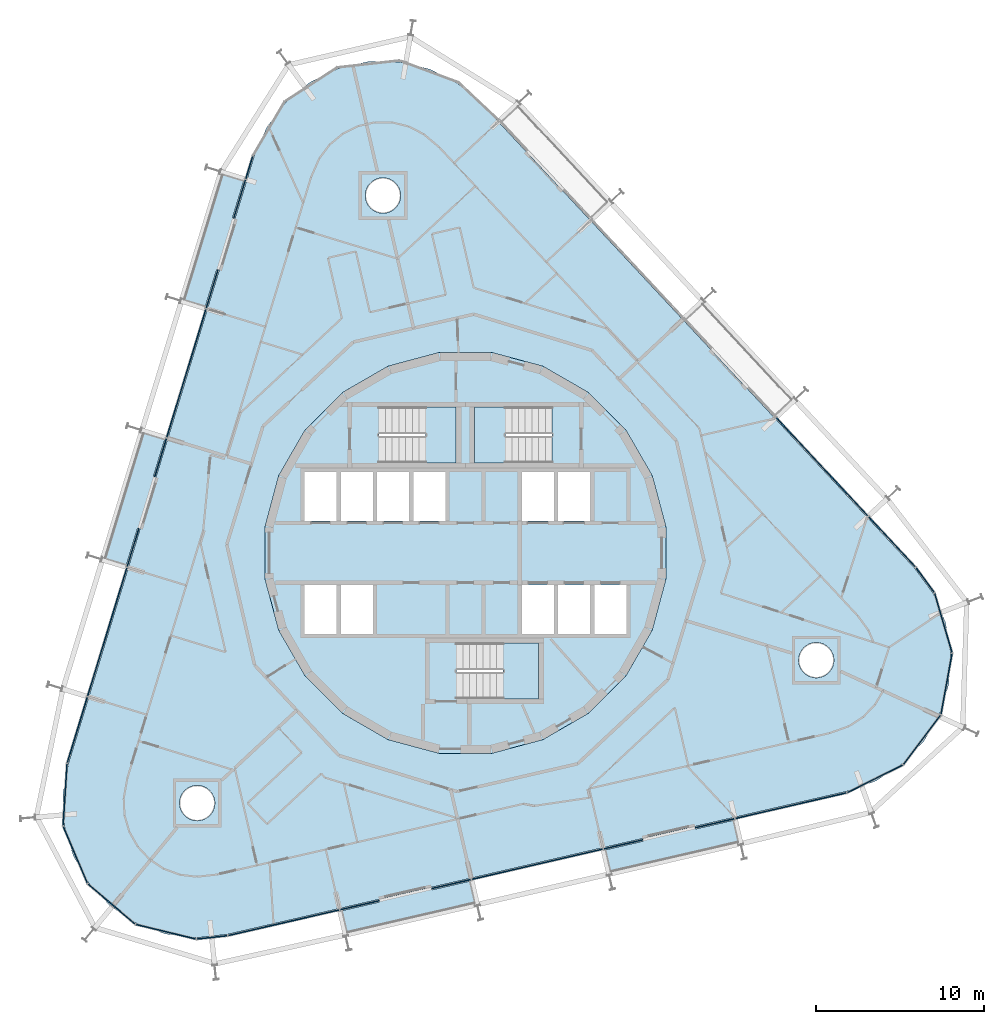
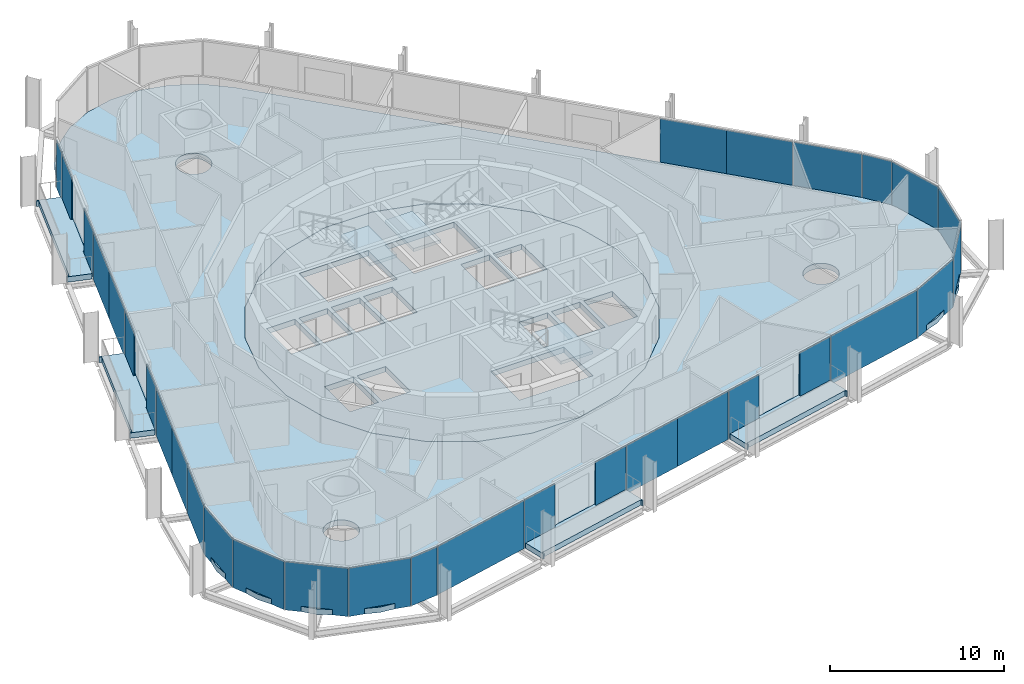
# One storey, part 10 of 18: 31 plates, 9 slabs, 9 elements without a shape of their own.
"""IFC4 building model written with IfcOpenShell, lengths in metres."""

from ifc_helpers import new_model, si_unit, direction, frame, origin, origin_2d, place, context, subcontext, project, spatial, polyline, rectangle, outline, extrude, material, layer, layer_set, type_object, element, aggregate, save


model = new_model("IFC4")

# Units and contexts
model_context = context("Model", 3, precision=1e-05, world=origin(), true_north=direction((0.0, 1.0)))
body_context = subcontext(model_context, "Body", "Model", "MODEL_VIEW")
ifc_project = project(units=[si_unit("LENGTHUNIT", "METRE"), si_unit("AREAUNIT", "SQUARE_METRE"), si_unit("VOLUMEUNIT", "CUBIC_METRE"), si_unit("PLANEANGLEUNIT", "RADIAN"), si_unit("MASSUNIT", "GRAM", prefix="KILO")], contexts=[model_context])

# Site, building, storey
site_placement = place(None, origin())
site = spatial("IfcSite", under=ifc_project, at=site_placement, CompositionType="ELEMENT")
building_placement = place(site_placement, origin())
building = spatial("IfcBuilding", under=site, at=building_placement, Name="Spindle Arch Residences", CompositionType="ELEMENT")
storey_placement = place(building_placement, frame((0.0, 0.0, 120.39990234375)))
storey = spatial("IfcBuildingStorey", under=building, at=storey_placement, Name="L29", CompositionType="ELEMENT", Elevation=120.39990234375)

# Slabs
ifc_material_1 = material(Name="Concrete C40/50", Category="concrete")
ifc_layer_1 = layer(ifc_material_1, 0.3798828125)
ifc_layer_set_1 = layer_set([ifc_layer_1], Name="Balcony slab 380")
slab_type_1 = type_object("IfcSlabType", Name="Balcony slab 380", PredefinedType="FLOOR", material=ifc_layer_set_1)
slab_1_placement = place(storey_placement, frame((0.0, 0.0, -0.3798828125)))
element("IfcSlab", 1, at=slab_1_placement, inside=storey, type_object=slab_type_1, Name="Balcony L29 bay 1", PredefinedType="FLOOR", context=body_context, shape_type="SweptSolid", body=[
    extrude(outline(polyline([(8.60546875, -19.094482421875), (8.678466796875, -19.07763671875), (8.644775390625, -18.931396484375), (16.17578125, -17.19287109375), (16.209716796875, -17.3388671875), (16.28271484375, -17.322021484375), (15.947509765625, -15.870361328125), (13.66796875, -16.396484375), (13.6318359375, -16.24072265625), (10.513916015625, -16.96044921875), (10.5498046875, -17.116455078125), (8.270263671875, -17.642578125), (8.60546875, -19.094482421875)])), origin(), (0.0, 0.0, 1.0), 0.3798828125),
])
slab_2_placement = place(storey_placement, frame((0.0, 0.0, -0.3798828125)))
element("IfcSlab", 2, at=slab_2_placement, inside=storey, type_object=slab_type_1, Name="Balcony L29 bay 13", PredefinedType="FLOOR", context=body_context, shape_type="SweptSolid", body=[
    extrude(outline(polyline([(-14.5791015625, 22.5703125), (-14.60107421875, 22.49853515625), (-14.45751953125, 22.45458984375), (-16.71728515625, 15.063232421875), (-16.86083984375, 15.107177734375), (-16.882568359375, 15.035400390625), (-15.457763671875, 14.599609375), (-14.773681640625, 16.837158203125), (-14.620849609375, 16.790283203125), (-13.68505859375, 19.8505859375), (-13.838134765625, 19.897216796875), (-13.154052734375, 22.134521484375), (-14.5791015625, 22.5703125)])), origin(), (0.0, 0.0, 1.0), 0.3798828125),
])
slab_3_placement = place(storey_placement, frame((0.0, 0.0, -0.3798828125)))
element("IfcSlab", 3, at=slab_3_placement, inside=storey, type_object=slab_type_1, Name="Balcony L29 bay 15", PredefinedType="FLOOR", context=body_context, shape_type="SweptSolid", body=[
    extrude(outline(polyline([(-19.27392578125, 7.213623046875), (-19.2958984375, 7.141845703125), (-19.152587890625, 7.097900390625), (-21.412353515625, -0.29345703125), (-21.5556640625, -0.24951171875), (-21.57763671875, -0.3212890625), (-20.15283203125, -0.7568359375), (-19.46875, 1.48046875), (-19.315673828125, 1.43359375), (-18.380126953125, 4.493896484375), (-18.533203125, 4.54052734375), (-17.84912109375, 6.77783203125), (-19.27392578125, 7.213623046875)])), origin(), (0.0, 0.0, 1.0), 0.3798828125),
])
slab_4_placement = place(storey_placement, frame((0.0, 0.0, -0.3798828125)))
element("IfcSlab", 4, at=slab_4_placement, inside=storey, type_object=slab_type_1, Name="Balcony L29 bay 21", PredefinedType="FLOOR", context=body_context, shape_type="SweptSolid", body=[
    extrude(outline(polyline([(-7.041259765625, -22.706787109375), (-6.96826171875, -22.68994140625), (-7.001953125, -22.543701171875), (0.529052734375, -20.80517578125), (0.562744140625, -20.951171875), (0.635986328125, -20.934326171875), (0.30078125, -19.482666015625), (-1.978759765625, -20.0087890625), (-2.014892578125, -19.85302734375), (-5.1328125, -20.57275390625), (-5.096923828125, -20.728759765625), (-7.37646484375, -21.255126953125), (-7.041259765625, -22.706787109375)])), origin(), (0.0, 0.0, 1.0), 0.3798828125),
])
ifc_material_2 = material(Name="Concrete C50/60", Category="concrete")
ifc_layer_2 = layer(ifc_material_2, 0.3798828125)
ifc_layer_set_2 = layer_set([ifc_layer_2], Name="Core floor slab 380")
slab_type_2 = type_object("IfcSlabType", Name="Core floor slab 380", PredefinedType="FLOOR", material=ifc_layer_set_2)
slab_5_placement = place(storey_placement, frame((0.0, 0.0, -0.3798828125)))
element("IfcSlab", 5, at=slab_5_placement, inside=storey, type_object=slab_type_2, Name="Core floor L29", PredefinedType="FLOOR", context=body_context, shape_type="SweptSolid", body=[
    extrude(outline(polyline([(1.56640625, -11.897216796875), (4.59228515625, -11.086669921875), (7.30517578125, -9.520263671875), (9.520263671875, -7.30517578125), (11.086669921875, -4.59228515625), (11.897216796875, -1.56640625), (11.897216796875, 1.56640625), (11.086669921875, 4.59228515625), (9.520263671875, 7.30517578125), (7.30517578125, 9.520263671875), (4.59228515625, 11.086669921875), (1.56640625, 11.897216796875), (-1.56640625, 11.897216796875), (-4.59228515625, 11.086669921875), (-7.30517578125, 9.520263671875), (-9.520263671875, 7.30517578125), (-11.086669921875, 4.59228515625), (-11.897216796875, 1.56640625), (-11.897216796875, -1.56640625), (-11.086669921875, -4.59228515625), (-9.520263671875, -7.30517578125), (-7.30517578125, -9.520263671875), (-4.59228515625, -11.086669921875), (-1.56640625, -11.897216796875), (1.56640625, -11.897216796875)]), holes=[polyline([(-9.550048828125, 1.89990234375), (-7.64990234375, 1.89990234375), (-7.64990234375, 4.800048828125), (-9.550048828125, 4.800048828125), (-9.550048828125, 1.89990234375)]), polyline([(-7.39990234375, 1.89990234375), (-5.5, 1.89990234375), (-5.5, 4.800048828125), (-7.39990234375, 4.800048828125), (-7.39990234375, 1.89990234375)]), polyline([(-5.25, 1.89990234375), (-3.35009765625, 1.89990234375), (-3.35009765625, 4.800048828125), (-5.25, 4.800048828125), (-5.25, 1.89990234375)]), polyline([(-3.10009765625, 1.89990234375), (-1.199951171875, 1.89990234375), (-1.199951171875, 4.800048828125), (-3.10009765625, 4.800048828125), (-3.10009765625, 1.89990234375)]), polyline([(3.35009765625, 1.89990234375), (5.25, 1.89990234375), (5.25, 4.800048828125), (3.35009765625, 4.800048828125), (3.35009765625, 1.89990234375)]), polyline([(5.5, 1.89990234375), (7.39990234375, 1.89990234375), (7.39990234375, 4.800048828125), (5.5, 4.800048828125), (5.5, 1.89990234375)]), polyline([(-9.550048828125, -4.800048828125), (-7.64990234375, -4.800048828125), (-7.64990234375, -1.89990234375), (-9.550048828125, -1.89990234375), (-9.550048828125, -4.800048828125)]), polyline([(-7.39990234375, -4.800048828125), (-5.5, -4.800048828125), (-5.5, -1.89990234375), (-7.39990234375, -1.89990234375), (-7.39990234375, -4.800048828125)]), polyline([(3.35009765625, -4.800048828125), (5.25, -4.800048828125), (5.25, -1.89990234375), (3.35009765625, -1.89990234375), (3.35009765625, -4.800048828125)]), polyline([(5.5, -4.800048828125), (7.39990234375, -4.800048828125), (7.39990234375, -1.89990234375), (5.5, -1.89990234375), (5.5, -4.800048828125)]), polyline([(7.64990234375, -4.800048828125), (9.550048828125, -4.800048828125), (9.550048828125, -1.89990234375), (7.64990234375, -1.89990234375), (7.64990234375, -4.800048828125)]), polyline([(5.1298828125, 8.669921875), (0.550048828125, 8.669921875), (0.550048828125, 5.35009765625), (5.1298828125, 5.35009765625), (5.1298828125, 8.669921875)]), polyline([(-5.1298828125, 5.35009765625), (-0.550048828125, 5.35009765625), (-0.550048828125, 8.669921875), (-5.1298828125, 8.669921875), (-5.1298828125, 5.35009765625)]), polyline([(-0.530029296875, -8.669921875), (4.35009765625, -8.669921875), (4.35009765625, -5.35009765625), (-0.530029296875, -5.35009765625), (-0.530029296875, -8.669921875)])]), origin(), (0.0, 0.0, 1.0), 0.3798828125),
])

# Stair, slab
ifc_material_3 = material(Name="Concrete C50/60", Category="concrete")
stair_type = type_object("IfcStairType", Name="Exit stair 16 risers", PredefinedType="HALF_TURN_STAIR", material=ifc_material_3)
stair_1_placement = place(storey_placement, origin())
stair_1 = element("IfcStair", 6, at=stair_1_placement, inside=storey, type_object=stair_type, Name="L29 Exit stair ST1", PredefinedType="HALF_TURN_STAIR")
ifc_material_4 = material(Name="Concrete C50/60", Category="concrete")
ifc_layer_3 = layer(ifc_material_4, 0.219970703125)
ifc_layer_set_3 = layer_set([ifc_layer_3], Name="Exit stair landing 220")
slab_type_3 = type_object("IfcSlabType", Name="Exit stair landing 220", PredefinedType="LANDING", material=ifc_layer_set_3)
slab_6_placement = place(storey_placement, frame((0.0, 0.0, 1.530029296875)))
slab_6 = element("IfcSlab", 7, at=slab_6_placement, type_object=slab_type_3, Name="ST1 landing 1", PredefinedType="LANDING", context=body_context, shape_type="SweptSolid", body=[
    extrude(outline(polyline([(2.3701171875, 8.669921875), (0.550048828125, 8.669921875), (0.550048828125, 5.35009765625), (2.3701171875, 5.35009765625), (2.3701171875, 8.669921875)])), origin(), (0.0, 0.0, 1.0), 0.219970703125),
])
aggregate(stair_1, [slab_6])

stair_2_placement = place(storey_placement, origin())
stair_2 = element("IfcStair", 8, at=stair_2_placement, inside=storey, type_object=stair_type, Name="L29 Exit stair ST2", PredefinedType="HALF_TURN_STAIR")
slab_7_placement = place(storey_placement, frame((0.0, 0.0, 1.530029296875)))
slab_7 = element("IfcSlab", 9, at=slab_7_placement, type_object=slab_type_3, Name="ST2 landing 1", PredefinedType="LANDING", context=body_context, shape_type="SweptSolid", body=[
    extrude(outline(polyline([(-2.3701171875, 5.35009765625), (-0.550048828125, 5.35009765625), (-0.550048828125, 8.669921875), (-2.3701171875, 8.669921875), (-2.3701171875, 5.35009765625)])), origin(), (0.0, 0.0, 1.0), 0.219970703125),
])
aggregate(stair_2, [slab_7])

stair_3_placement = place(storey_placement, origin())
stair_3 = element("IfcStair", 10, at=stair_3_placement, inside=storey, type_object=stair_type, Name="L29 Exit stair ST3", PredefinedType="HALF_TURN_STAIR")
slab_8_placement = place(storey_placement, frame((0.0, 0.0, 1.530029296875)))
slab_8 = element("IfcSlab", 11, at=slab_8_placement, type_object=slab_type_3, Name="ST3 landing 1", PredefinedType="LANDING", context=body_context, shape_type="SweptSolid", body=[
    extrude(outline(polyline([(2.22998046875, -8.669921875), (4.35009765625, -8.669921875), (4.35009765625, -5.35009765625), (2.22998046875, -5.35009765625), (2.22998046875, -8.669921875)])), origin(), (0.0, 0.0, 1.0), 0.219970703125),
])
aggregate(stair_3, [slab_8])

# Slab
ifc_material_5 = material(Name="Concrete C40/50", Category="concrete")
ifc_layer_4 = layer(ifc_material_5, 0.3798828125)
ifc_layer_set_4 = layer_set([ifc_layer_4], Name="Floor slab 380")
slab_type_4 = type_object("IfcSlabType", Name="Floor slab 380", PredefinedType="FLOOR", material=ifc_layer_set_4)
slab_9_placement = place(storey_placement, frame((0.0, 0.0, -0.3798828125)))
element("IfcSlab", 12, at=slab_9_placement, inside=storey, type_object=slab_type_4, Name="Floor slab L29", PredefinedType="FLOOR", context=body_context, shape_type="SweptSolid", body=[
    extrude(outline(polyline([(-15.976806640625, -22.85498046875), (-17.8203125, -22.628662109375), (-19.56201171875, -21.983154296875), (-21.108154296875, -20.95361328125), (-22.375, -19.594970703125), (-23.294189453125, -17.98095703125), (-23.816650390625, -16.198486328125), (-23.913818359375, -14.343505859375), (-23.58056640625, -12.51611328125), (-12.55029296875, 23.5625), (-11.8046875, 25.263916015625), (-10.686767578125, 26.747314453125), (-9.257080078125, 27.932861328125), (-7.59228515625, 28.7568359375), (-5.7822265625, 29.1748046875), (-3.9248046875, 29.163818359375), (-2.1201171875, 28.72509765625), (-0.465087890625, 27.881591796875), (0.950927734375, 26.679443359375), (26.680908203125, -0.912353515625), (27.781494140625, -2.40869140625), (28.507080078125, -4.11865234375), (28.819091796875, -5.94970703125), (28.7001953125, -7.803466796875), (28.1572265625, -9.57958984375), (27.218994140625, -11.182861328125), (25.9365234375, -12.526611328125), (24.37890625, -13.5380859375), (22.629638671875, -14.163330078125), (4.24951171875, -18.40673828125), (-14.130615234375, -22.650146484375), (-15.976806640625, -22.85498046875)]), holes=[polyline([(7.30517578125, -9.520263671875), (9.520263671875, -7.30517578125), (11.086669921875, -4.59228515625), (11.897216796875, -1.56640625), (11.897216796875, 1.56640625), (11.086669921875, 4.59228515625), (9.520263671875, 7.30517578125), (7.30517578125, 9.520263671875), (4.59228515625, 11.086669921875), (1.56640625, 11.897216796875), (-1.56640625, 11.897216796875), (-4.59228515625, 11.086669921875), (-7.30517578125, 9.520263671875), (-9.520263671875, 7.30517578125), (-11.086669921875, 4.59228515625), (-11.897216796875, 1.56640625), (-11.897216796875, -1.56640625), (-11.086669921875, -4.59228515625), (-9.520263671875, -7.30517578125), (-7.30517578125, -9.520263671875), (-4.59228515625, -11.086669921875), (-1.56640625, -11.897216796875), (1.56640625, -11.897216796875), (4.59228515625, -11.086669921875), (7.30517578125, -9.520263671875)]), polyline([(-15.187744140625, -15.59765625), (-15.05712890625, -15.4384765625), (-14.960205078125, -15.257080078125), (-14.900390625, -15.06005859375), (-14.880126953125, -14.855224609375), (-14.900390625, -14.650390625), (-14.960205078125, -14.453369140625), (-15.05712890625, -14.27197265625), (-15.187744140625, -14.11279296875), (-15.346923828125, -13.982177734375), (-15.5283203125, -13.885009765625), (-15.725341796875, -13.825439453125), (-15.93017578125, -13.80517578125), (-16.135009765625, -13.825439453125), (-16.33203125, -13.885009765625), (-16.513427734375, -13.982177734375), (-16.672607421875, -14.11279296875), (-16.80322265625, -14.27197265625), (-16.900390625, -14.453369140625), (-16.9599609375, -14.650390625), (-16.980224609375, -14.855224609375), (-16.9599609375, -15.06005859375), (-16.900390625, -15.257080078125), (-16.80322265625, -15.4384765625), (-16.672607421875, -15.59765625), (-16.513427734375, -15.728271484375), (-16.33203125, -15.8251953125), (-16.135009765625, -15.885009765625), (-15.93017578125, -15.9052734375), (-15.725341796875, -15.885009765625), (-15.5283203125, -15.8251953125), (-15.346923828125, -15.728271484375), (-15.187744140625, -15.59765625)]), polyline([(-4.02685546875, 20.64013671875), (-3.9296875, 20.82177734375), (-3.8701171875, 21.018798828125), (-3.849853515625, 21.223388671875), (-3.8701171875, 21.42822265625), (-3.9296875, 21.625244140625), (-4.02685546875, 21.806884765625), (-4.1572265625, 21.966064453125), (-4.31640625, 22.096435546875), (-4.498046875, 22.193603515625), (-4.695068359375, 22.25341796875), (-4.89990234375, 22.2734375), (-5.1044921875, 22.25341796875), (-5.301513671875, 22.193603515625), (-5.483154296875, 22.096435546875), (-5.642333984375, 21.966064453125), (-5.772705078125, 21.806884765625), (-5.869873046875, 21.625244140625), (-5.9296875, 21.42822265625), (-5.94970703125, 21.223388671875), (-5.9296875, 21.018798828125), (-5.869873046875, 20.82177734375), (-5.772705078125, 20.64013671875), (-5.642333984375, 20.48095703125), (-5.483154296875, 20.3505859375), (-5.301513671875, 20.25341796875), (-5.1044921875, 20.193603515625), (-4.89990234375, 20.173583984375), (-4.695068359375, 20.193603515625), (-4.498046875, 20.25341796875), (-4.31640625, 20.3505859375), (-4.1572265625, 20.48095703125), (-4.02685546875, 20.64013671875)]), polyline([(21.702880859375, -6.95166015625), (21.800048828125, -6.770263671875), (21.85986328125, -6.5732421875), (21.8798828125, -6.368408203125), (21.85986328125, -6.16357421875), (21.800048828125, -5.966552734375), (21.702880859375, -5.78515625), (21.572509765625, -5.6259765625), (21.413330078125, -5.495361328125), (21.231689453125, -5.398193359375), (21.034912109375, -5.338623046875), (20.830078125, -5.318359375), (20.625244140625, -5.338623046875), (20.42822265625, -5.398193359375), (20.24658203125, -5.495361328125), (20.08740234375, -5.6259765625), (19.95703125, -5.78515625), (19.85986328125, -5.966552734375), (19.80029296875, -6.16357421875), (19.780029296875, -6.368408203125), (19.80029296875, -6.5732421875), (19.85986328125, -6.770263671875), (19.95703125, -6.95166015625), (20.08740234375, -7.11083984375), (20.24658203125, -7.241455078125), (20.42822265625, -7.33837890625), (20.625244140625, -7.398193359375), (20.830078125, -7.41845703125), (21.034912109375, -7.398193359375), (21.231689453125, -7.33837890625), (21.413330078125, -7.241455078125), (21.572509765625, -7.11083984375), (21.702880859375, -6.95166015625)])]), origin(), (0.0, 0.0, 1.0), 0.3798828125),
])

# Curtain wall, plates
ifc_material_6 = material(Name="Aluminium bronze unitised frame with tinted glass", Category="aluminium")
ifc_layer_5 = layer(ifc_material_6, 0.159912109375)
ifc_layer_set_5 = layer_set([ifc_layer_5], Name="CW-D corner wall on the fillet arcs")
curtain_wall_type_1 = type_object("IfcCurtainWallType", Name="CW-D corner wall on the fillet arcs", PredefinedType="NOTDEFINED", material=ifc_layer_set_5)
curtain_wall_1_placement = place(storey_placement, origin())
curtain_wall_1 = element("IfcCurtainWall", 13, at=curtain_wall_1_placement, inside=storey, type_object=curtain_wall_type_1, Name="CW-D L29 run 1", PredefinedType="NOTDEFINED")
ifc_material_7 = material(Name="Tinted double glazing over aluminium faced non-combustible spandrel zone (K0)", Category="aluminium")
ifc_layer_6 = layer(ifc_material_7, 0.06005859375)
ifc_layer_set_6 = layer_set([ifc_layer_6], Name="Unitised glass panel with E 60 spandrel zone")
plate_type = type_object("IfcPlateType", Name="Unitised glass panel with E 60 spandrel zone", PredefinedType="CURTAIN_PANEL", material=ifc_layer_set_6)
plate_1_placement = place(storey_placement, frame((19.3251953125, -15.00830078125, -0.3798828125), z_axis=(0.0, 0.0, 1.0), x_axis=(0.974370064785, 0.224951054344, 0.0)))
plate_1 = element("IfcPlate", 14, at=plate_1_placement, type_object=plate_type, Name="CW-D unit 00", PredefinedType="CURTAIN_PANEL", context=body_context, shape_type="SweptSolid", body=[
    extrude(rectangle(XDim=6.759765625, YDim=0.06005859375, at=origin_2d()), origin(), (0.0, 0.0, 1.0), 3.3798828125),
])
plate_2_placement = place(storey_placement, frame((24.317626953125, -13.414794921875, -0.3798828125), z_axis=(0.0, 0.0, 1.0), x_axis=(0.896228507614, 0.443592675931, 0.0)))
plate_2 = element("IfcPlate", 15, at=plate_2_placement, type_object=plate_type, Name="CW-D unit 01", PredefinedType="CURTAIN_PANEL", context=body_context, shape_type="SweptSolid", body=[
    extrude(rectangle(XDim=3.666748046875, YDim=0.06005859375, at=origin_2d()), origin(), (0.0, 0.0, 1.0), 3.3798828125),
])
plate_3_placement = place(storey_placement, frame((27.109130859375, -11.099853515625, -0.3798828125), z_axis=(0.0, 0.0, 1.0), x_axis=(0.601815021814, 0.798635511056, 0.0)))
plate_3 = element("IfcPlate", 16, at=plate_3_placement, type_object=plate_type, Name="CW-D unit 02", PredefinedType="CURTAIN_PANEL", context=body_context, shape_type="SweptSolid", body=[
    extrude(rectangle(XDim=3.666748046875, YDim=0.06005859375, at=origin_2d()), origin(), (0.0, 0.0, 1.0), 3.3798828125),
])
plate_4_placement = place(storey_placement, frame((28.564697265625, -7.778564453125, -0.3798828125), z_axis=(0.0, 0.0, 1.0), x_axis=(0.17937458782, 0.983780848179, 0.0)))
plate_4 = element("IfcPlate", 17, at=plate_4_placement, type_object=plate_type, Name="CW-D unit 03", PredefinedType="CURTAIN_PANEL", context=body_context, shape_type="SweptSolid", body=[
    extrude(rectangle(XDim=3.666748046875, YDim=0.06005859375, at=origin_2d()), origin(), (0.0, 0.0, 1.0), 3.3798828125),
])
plate_5_placement = place(storey_placement, frame((28.375, -4.1572265625, -0.3798828125), z_axis=(0.0, 0.0, 1.0), x_axis=(-0.281225052549, 0.959641844554, 0.0)))
plate_5 = element("IfcPlate", 18, at=plate_5_placement, type_object=plate_type, Name="CW-D unit 04", PredefinedType="CURTAIN_PANEL", context=body_context, shape_type="SweptSolid", body=[
    extrude(rectangle(XDim=3.666748046875, YDim=0.06005859375, at=origin_2d()), origin(), (0.0, 0.0, 1.0), 3.3798828125),
])
plate_6_placement = place(storey_placement, frame((27.295166015625, -1.613525390625, -0.3798828125), z_axis=(0.0, 0.0, 1.0), x_axis=(-0.592481951039, 0.805583724819, 0.0)))
plate_6 = element("IfcPlate", 19, at=plate_6_placement, type_object=plate_type, Name="CW-D unit 05", PredefinedType="CURTAIN_PANEL", context=body_context, shape_type="SweptSolid", body=[
    extrude(rectangle(XDim=1.816162109375, YDim=0.06005859375, at=origin_2d()), origin(), (0.0, 0.0, 1.0), 3.3798828125),
])
plate_7_placement = place(storey_placement, frame((25.326416015625, 0.6572265625, -0.3798828125), z_axis=(0.0, 0.0, 1.0), x_axis=(-0.681998360062, 0.731353701619, 0.0)))
plate_7 = element("IfcPlate", 20, at=plate_7_placement, type_object=plate_type, Name="CW-D unit 06", PredefinedType="CURTAIN_PANEL", context=body_context, shape_type="SweptSolid", body=[
    extrude(rectangle(XDim=4.08349609375, YDim=0.06005859375, at=origin_2d()), origin(), (0.0, 0.0, 1.0), 3.3798828125),
])
aggregate(curtain_wall_1, [plate_1, plate_2, plate_3, plate_4, plate_5, plate_6, plate_7])

ifc_material_8 = material(Name="Aluminium bronze unitised frame with tinted glass", Category="aluminium")
ifc_layer_7 = layer(ifc_material_8, 0.159912109375)
ifc_layer_set_7 = layer_set([ifc_layer_7], Name="CW-C typical residential unitised wall")
curtain_wall_type_2 = type_object("IfcCurtainWallType", Name="CW-C typical residential unitised wall", PredefinedType="NOTDEFINED", material=ifc_layer_set_7)
curtain_wall_2_placement = place(storey_placement, origin())
curtain_wall_2 = element("IfcCurtainWall", 21, at=curtain_wall_2_placement, inside=storey, type_object=curtain_wall_type_2, Name="CW-C L29 run 2", PredefinedType="NOTDEFINED")
plate_8_placement = place(storey_placement, frame((22.534423828125, 3.651611328125, -0.3798828125), z_axis=(0.0, 0.0, 1.0), x_axis=(-0.681998360062, 0.731353701619, 0.0)))
plate_8 = element("IfcPlate", 22, at=plate_8_placement, type_object=plate_type, Name="CW-C unit 05A", PredefinedType="CURTAIN_PANEL", context=body_context, shape_type="SweptSolid", body=[
    extrude(rectangle(XDim=3.984619140625, YDim=0.06005859375, at=origin_2d()), origin(), (0.0, 0.0, 1.0), 3.3798828125),
])
plate_9_placement = place(storey_placement, frame((19.81689453125, 6.565673828125, -0.3798828125), z_axis=(0.0, 0.0, 1.0), x_axis=(-0.681998360062, 0.731353701619, 0.0)))
plate_9 = element("IfcPlate", 23, at=plate_9_placement, type_object=plate_type, Name="CW-C unit 05B", PredefinedType="CURTAIN_PANEL", context=body_context, shape_type="SweptSolid", body=[
    extrude(rectangle(XDim=3.984619140625, YDim=0.06005859375, at=origin_2d()), origin(), (0.0, 0.0, 1.0), 3.3798828125),
])
aggregate(curtain_wall_2, [plate_8, plate_9])

# Curtain wall, plate
curtain_wall_3_placement = place(storey_placement, origin())
curtain_wall_3 = element("IfcCurtainWall", 24, at=curtain_wall_3_placement, inside=storey, type_object=curtain_wall_type_1, Name="CW-D L29 run 3", PredefinedType="NOTDEFINED")
plate_10_placement = place(storey_placement, frame((-12.84130859375, 22.884521484375, -0.3798828125), z_axis=(0.0, 0.0, 1.0), x_axis=(-0.292371704723, -0.956304755963, 0.0)))
plate_10 = element("IfcPlate", 25, at=plate_10_placement, type_object=plate_type, Name="CW-D unit 05", PredefinedType="CURTAIN_PANEL", context=body_context, shape_type="SweptSolid", body=[
    extrude(rectangle(XDim=1.406982421875, YDim=0.06005859375, at=origin_2d()), origin(), (0.0, 0.0, 1.0), 3.3798828125),
])
aggregate(curtain_wall_3, [plate_10])

# Curtain wall, plates
curtain_wall_4_placement = place(storey_placement, origin())
curtain_wall_4 = element("IfcCurtainWall", 26, at=curtain_wall_4_placement, inside=storey, type_object=curtain_wall_type_2, Name="CW-C L29 run 4", PredefinedType="NOTDEFINED")
plate_11_placement = place(storey_placement, frame((-13.4130859375, 21.01416015625, -0.3798828125), z_axis=(0.0, 0.0, 1.0), x_axis=(-0.292371704723, -0.956304755963, 0.0)))
plate_11 = element("IfcPlate", 27, at=plate_11_placement, type_object=plate_type, Name="CW-C unit 12L", PredefinedType="CURTAIN_PANEL", context=body_context, shape_type="SweptSolid", body=[
    extrude(rectangle(XDim=2.384521484375, YDim=0.06005859375, at=origin_2d()), origin(), (0.0, 0.0, 1.0), 3.3798828125),
])
plate_12_placement = place(storey_placement, frame((-15.0458984375, 15.673583984375, -0.3798828125), z_axis=(0.0, 0.0, 1.0), x_axis=(-0.292371704723, -0.956304755963, 0.0)))
plate_12 = element("IfcPlate", 28, at=plate_12_placement, type_object=plate_type, Name="CW-C unit 12R", PredefinedType="CURTAIN_PANEL", context=body_context, shape_type="SweptSolid", body=[
    extrude(rectangle(XDim=2.384521484375, YDim=0.06005859375, at=origin_2d()), origin(), (0.0, 0.0, 1.0), 3.3798828125),
])
plate_13_placement = place(storey_placement, frame((-15.994384765625, 12.57080078125, -0.3798828125), z_axis=(0.0, 0.0, 1.0), x_axis=(-0.292371704723, -0.956304755963, 0.0)))
plate_13 = element("IfcPlate", 29, at=plate_13_placement, type_object=plate_type, Name="CW-C unit 13A", PredefinedType="CURTAIN_PANEL", context=body_context, shape_type="SweptSolid", body=[
    extrude(rectangle(XDim=3.984619140625, YDim=0.06005859375, at=origin_2d()), origin(), (0.0, 0.0, 1.0), 3.3798828125),
])
plate_14_placement = place(storey_placement, frame((-17.159423828125, 8.76025390625, -0.3798828125), z_axis=(0.0, 0.0, 1.0), x_axis=(-0.292371704723, -0.956304755963, 0.0)))
plate_14 = element("IfcPlate", 30, at=plate_14_placement, type_object=plate_type, Name="CW-C unit 13B", PredefinedType="CURTAIN_PANEL", context=body_context, shape_type="SweptSolid", body=[
    extrude(rectangle(XDim=3.984619140625, YDim=0.06005859375, at=origin_2d()), origin(), (0.0, 0.0, 1.0), 3.3798828125),
])
plate_15_placement = place(storey_placement, frame((-18.108154296875, 5.657470703125, -0.3798828125), z_axis=(0.0, 0.0, 1.0), x_axis=(-0.292371704723, -0.956304755963, 0.0)))
plate_15 = element("IfcPlate", 31, at=plate_15_placement, type_object=plate_type, Name="CW-C unit 14L", PredefinedType="CURTAIN_PANEL", context=body_context, shape_type="SweptSolid", body=[
    extrude(rectangle(XDim=2.384521484375, YDim=0.06005859375, at=origin_2d()), origin(), (0.0, 0.0, 1.0), 3.3798828125),
])
plate_16_placement = place(storey_placement, frame((-19.740966796875, 0.31689453125, -0.3798828125), z_axis=(0.0, 0.0, 1.0), x_axis=(-0.292371704723, -0.956304755963, 0.0)))
plate_16 = element("IfcPlate", 32, at=plate_16_placement, type_object=plate_type, Name="CW-C unit 14R", PredefinedType="CURTAIN_PANEL", context=body_context, shape_type="SweptSolid", body=[
    extrude(rectangle(XDim=2.384521484375, YDim=0.06005859375, at=origin_2d()), origin(), (0.0, 0.0, 1.0), 3.3798828125),
])
plate_17_placement = place(storey_placement, frame((-20.689453125, -2.785888671875, -0.3798828125), z_axis=(0.0, 0.0, 1.0), x_axis=(-0.292371704723, -0.956304755963, 0.0)))
plate_17 = element("IfcPlate", 33, at=plate_17_placement, type_object=plate_type, Name="CW-C unit 15A", PredefinedType="CURTAIN_PANEL", context=body_context, shape_type="SweptSolid", body=[
    extrude(rectangle(XDim=3.984619140625, YDim=0.06005859375, at=origin_2d()), origin(), (0.0, 0.0, 1.0), 3.3798828125),
])
plate_18_placement = place(storey_placement, frame((-21.8544921875, -6.596435546875, -0.3798828125), z_axis=(0.0, 0.0, 1.0), x_axis=(-0.292371704723, -0.956304755963, 0.0)))
plate_18 = element("IfcPlate", 34, at=plate_18_placement, type_object=plate_type, Name="CW-C unit 15B", PredefinedType="CURTAIN_PANEL", context=body_context, shape_type="SweptSolid", body=[
    extrude(rectangle(XDim=3.984619140625, YDim=0.06005859375, at=origin_2d()), origin(), (0.0, 0.0, 1.0), 3.3798828125),
])
aggregate(curtain_wall_4, [plate_11, plate_12, plate_13, plate_14, plate_15, plate_16, plate_17, plate_18])

curtain_wall_5_placement = place(storey_placement, origin())
curtain_wall_5 = element("IfcCurtainWall", 35, at=curtain_wall_5_placement, inside=storey, type_object=curtain_wall_type_1, Name="CW-D L29 run 5", PredefinedType="NOTDEFINED")
plate_19_placement = place(storey_placement, frame((-23.051513671875, -10.511474609375, -0.3798828125), z_axis=(0.0, 0.0, 1.0), x_axis=(-0.292371704723, -0.956304755963, 0.0)))
plate_19 = element("IfcPlate", 36, at=plate_19_placement, type_object=plate_type, Name="CW-D unit 00", PredefinedType="CURTAIN_PANEL", context=body_context, shape_type="SweptSolid", body=[
    extrude(rectangle(XDim=4.08349609375, YDim=0.06005859375, at=origin_2d()), origin(), (0.0, 0.0, 1.0), 3.3798828125),
])
plate_20_placement = place(storey_placement, frame((-23.7763671875, -14.352294921875, -0.3798828125), z_axis=(0.0, 0.0, 1.0), x_axis=(-0.063951729226, -0.997952993046, 0.0)))
plate_20 = element("IfcPlate", 37, at=plate_20_placement, type_object=plate_type, Name="CW-D unit 01", PredefinedType="CURTAIN_PANEL", context=body_context, shape_type="SweptSolid", body=[
    extrude(rectangle(XDim=3.666748046875, YDim=0.06005859375, at=origin_2d()), origin(), (0.0, 0.0, 1.0), 3.3798828125),
])
plate_21_placement = place(storey_placement, frame((-23.16748046875, -17.92724609375, -0.3798828125), z_axis=(0.0, 0.0, 1.0), x_axis=(0.390731127124, -0.920504854032, 0.0)))
plate_21 = element("IfcPlate", 38, at=plate_21_placement, type_object=plate_type, Name="CW-D unit 02", PredefinedType="CURTAIN_PANEL", context=body_context, shape_type="SweptSolid", body=[
    extrude(rectangle(XDim=3.666748046875, YDim=0.06005859375, at=origin_2d()), origin(), (0.0, 0.0, 1.0), 3.3798828125),
])
plate_22_placement = place(storey_placement, frame((-21.018798828125, -20.848388671875, -0.3798828125), z_axis=(0.0, 0.0, 1.0), x_axis=(0.762291912042, -0.647233374321, 0.0)))
plate_22 = element("IfcPlate", 39, at=plate_22_placement, type_object=plate_type, Name="CW-D unit 03", PredefinedType="CURTAIN_PANEL", context=body_context, shape_type="SweptSolid", body=[
    extrude(rectangle(XDim=3.666748046875, YDim=0.06005859375, at=origin_2d()), origin(), (0.0, 0.0, 1.0), 3.3798828125),
])
plate_23_placement = place(storey_placement, frame((-17.787841796875, -22.49462890625, -0.3798828125), z_axis=(0.0, 0.0, 1.0), x_axis=(0.971686742139, -0.23627288281, 0.0)))
plate_23 = element("IfcPlate", 40, at=plate_23_placement, type_object=plate_type, Name="CW-D unit 04", PredefinedType="CURTAIN_PANEL", context=body_context, shape_type="SweptSolid", body=[
    extrude(rectangle(XDim=3.666748046875, YDim=0.06005859375, at=origin_2d()), origin(), (0.0, 0.0, 1.0), 3.3798828125),
])
plate_24_placement = place(storey_placement, frame((-15.044921875, -22.83154296875, -0.3798828125), z_axis=(0.0, 0.0, 1.0), x_axis=(0.993896946542, 0.110312554381, 0.0)))
plate_24 = element("IfcPlate", 41, at=plate_24_placement, type_object=plate_type, Name="CW-D unit 05", PredefinedType="CURTAIN_PANEL", context=body_context, shape_type="SweptSolid", body=[
    extrude(rectangle(XDim=1.816162109375, YDim=0.06005859375, at=origin_2d()), origin(), (0.0, 0.0, 1.0), 3.3798828125),
])
plate_25_placement = place(storey_placement, frame((-10.7900390625, -21.9609375, -0.3798828125), z_axis=(0.0, 0.0, 1.0), x_axis=(0.974370064785, 0.224951054344, 0.0)))
plate_25 = element("IfcPlate", 42, at=plate_25_placement, type_object=plate_type, Name="CW-D unit 06", PredefinedType="CURTAIN_PANEL", context=body_context, shape_type="SweptSolid", body=[
    extrude(rectangle(XDim=6.759765625, YDim=0.06005859375, at=origin_2d()), origin(), (0.0, 0.0, 1.0), 3.3798828125),
])
aggregate(curtain_wall_5, [plate_19, plate_20, plate_21, plate_22, plate_23, plate_24, plate_25])

curtain_wall_6_placement = place(storey_placement, origin())
curtain_wall_6 = element("IfcCurtainWall", 43, at=curtain_wall_6_placement, inside=storey, type_object=curtain_wall_type_2, Name="CW-C L29 run 6", PredefinedType="NOTDEFINED")
plate_26_placement = place(storey_placement, frame((-6.276611328125, -20.9189453125, -0.3798828125), z_axis=(0.0, 0.0, 1.0), x_axis=(0.974370064785, 0.224951054344, 0.0)))
plate_26 = element("IfcPlate", 44, at=plate_26_placement, type_object=plate_type, Name="CW-C unit 20L", PredefinedType="CURTAIN_PANEL", context=body_context, shape_type="SweptSolid", body=[
    extrude(rectangle(XDim=2.384521484375, YDim=0.06005859375, at=origin_2d()), origin(), (0.0, 0.0, 1.0), 3.3798828125),
])
plate_27_placement = place(storey_placement, frame((-0.835205078125, -19.66259765625, -0.3798828125), z_axis=(0.0, 0.0, 1.0), x_axis=(0.974370064785, 0.224951054344, 0.0)))
plate_27 = element("IfcPlate", 45, at=plate_27_placement, type_object=plate_type, Name="CW-C unit 20R", PredefinedType="CURTAIN_PANEL", context=body_context, shape_type="SweptSolid", body=[
    extrude(rectangle(XDim=2.384521484375, YDim=0.06005859375, at=origin_2d()), origin(), (0.0, 0.0, 1.0), 3.3798828125),
])
plate_28_placement = place(storey_placement, frame((2.326416015625, -18.932861328125, -0.3798828125), z_axis=(0.0, 0.0, 1.0), x_axis=(0.974370064785, 0.224951054344, 0.0)))
plate_28 = element("IfcPlate", 46, at=plate_28_placement, type_object=plate_type, Name="CW-C unit 21A", PredefinedType="CURTAIN_PANEL", context=body_context, shape_type="SweptSolid", body=[
    extrude(rectangle(XDim=3.984619140625, YDim=0.06005859375, at=origin_2d()), origin(), (0.0, 0.0, 1.0), 3.3798828125),
])
plate_29_placement = place(storey_placement, frame((6.208740234375, -18.03662109375, -0.3798828125), z_axis=(0.0, 0.0, 1.0), x_axis=(0.974370064785, 0.224951054344, 0.0)))
plate_29 = element("IfcPlate", 47, at=plate_29_placement, type_object=plate_type, Name="CW-C unit 21B", PredefinedType="CURTAIN_PANEL", context=body_context, shape_type="SweptSolid", body=[
    extrude(rectangle(XDim=3.984619140625, YDim=0.06005859375, at=origin_2d()), origin(), (0.0, 0.0, 1.0), 3.3798828125),
])
plate_30_placement = place(storey_placement, frame((9.3701171875, -17.306640625, -0.3798828125), z_axis=(0.0, 0.0, 1.0), x_axis=(0.974370064785, 0.224951054344, 0.0)))
plate_30 = element("IfcPlate", 48, at=plate_30_placement, type_object=plate_type, Name="CW-C unit 00L", PredefinedType="CURTAIN_PANEL", context=body_context, shape_type="SweptSolid", body=[
    extrude(rectangle(XDim=2.384521484375, YDim=0.06005859375, at=origin_2d()), origin(), (0.0, 0.0, 1.0), 3.3798828125),
])
plate_31_placement = place(storey_placement, frame((14.8115234375, -16.05029296875, -0.3798828125), z_axis=(0.0, 0.0, 1.0), x_axis=(0.974370064785, 0.224951054344, 0.0)))
plate_31 = element("IfcPlate", 49, at=plate_31_placement, type_object=plate_type, Name="CW-C unit 00R", PredefinedType="CURTAIN_PANEL", context=body_context, shape_type="SweptSolid", body=[
    extrude(rectangle(XDim=2.384521484375, YDim=0.06005859375, at=origin_2d()), origin(), (0.0, 0.0, 1.0), 3.3798828125),
])
aggregate(curtain_wall_6, [plate_26, plate_27, plate_28, plate_29, plate_30, plate_31])

save(model, "model.ifc")
